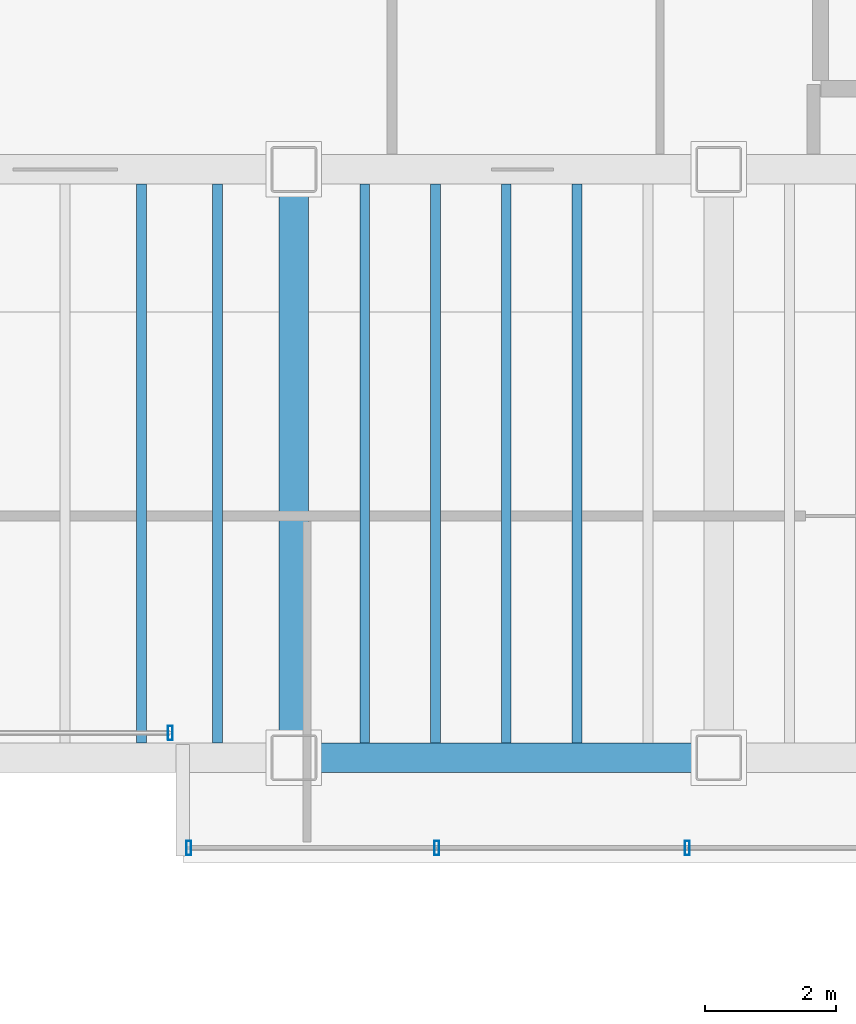
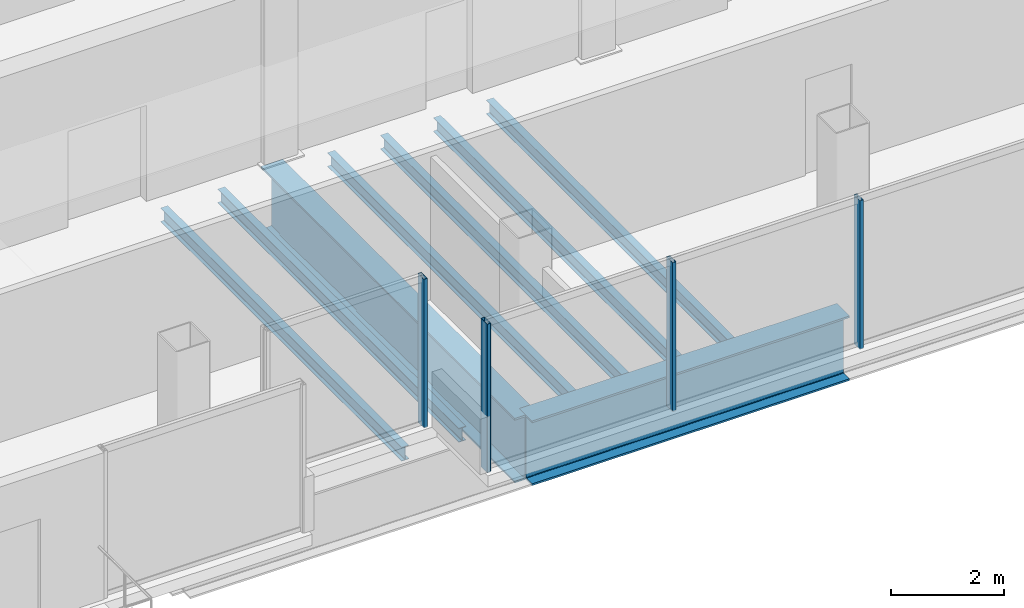
# One storey, part 6 of 17: 8 beams, 4 members, 2 elements without a shape of their own.
"""IFC4 building model written with IfcOpenShell, lengths in metres."""

from ifc_helpers import new_model, si_unit, direction, frame, origin, origin_2d, place, context, subcontext, project, spatial, hollow_rectangle, i_section, extrude, material, material_profile, profile_set, type_object, element, aggregate, save


model = new_model("IFC4")

# Units and contexts
model_context = context("Model", 3, precision=1e-05, world=origin(), true_north=direction((0.0, 1.0)))
body_context = subcontext(model_context, "Body", "Model", "MODEL_VIEW")
ifc_project = project(units=[si_unit("LENGTHUNIT", "METRE"), si_unit("AREAUNIT", "SQUARE_METRE"), si_unit("VOLUMEUNIT", "CUBIC_METRE"), si_unit("PLANEANGLEUNIT", "RADIAN"), si_unit("MASSUNIT", "GRAM", prefix="KILO")], contexts=[model_context])

# Site, building, storey
site_placement = place(None, origin())
site = spatial("IfcSite", under=ifc_project, at=site_placement, CompositionType="ELEMENT")
building_placement = place(site_placement, origin())
building = spatial("IfcBuilding", under=site, at=building_placement, Name="Noeulbin Bourse Tower", CompositionType="ELEMENT")
storey_placement = place(building_placement, frame((0.0, 0.0, 281.300048828125)))
storey = spatial("IfcBuildingStorey", under=building, at=storey_placement, Name="L70", CompositionType="ELEMENT", Elevation=281.300048828125)

# Beams
ifc_material_1 = material(Name="Steel S355", Category="steel")
ifc_material_profile_1 = material_profile(ifc_material_1, i_section(OverallWidth=0.14990234375, OverallDepth=0.300048828125, WebThickness=0.006591796875, FlangeThickness=0.009033203125, FilletRadius=0.012939453125, at=origin_2d()), Name="H-300x150x6.5x9", Category="LoadBearing")
ifc_profile_set_1 = profile_set([ifc_material_profile_1], Name="Steel S355")
beam_type_1 = type_object("IfcBeamType", Name="BM-JST-300", PredefinedType="JOIST", material=ifc_profile_set_1)
for number, where, z_axis, x_axis, name in (
    (1, (28.666748046875, 20.22509765625, -0.39013671875), (0.0, 1.0, 0.0), (-1.0, 0.0, 0.0), "Tower Composite Joist L70-07"),
    (2, (29.833251953125, 20.22509765625, -0.39013671875), (0.0, 1.0, 0.0), (-1.0, 0.0, 0.0), "Tower Composite Joist L70-09"),
    (3, (32.083251953125, 20.22509765625, -0.39013671875), (0.0, 1.0, 0.0), (-1.0, 0.0, 0.0), "Tower Composite Joist L70-11"),
    (4, (33.166748046875, 20.22509765625, -0.39013671875), (0.0, 1.0, 0.0), (-1.0, 0.0, 0.0), "Tower Composite Joist L70-13"),
    (5, (34.25, 20.22509765625, -0.39013671875), (0.0, 1.0, 0.0), (-1.0, 0.0, 0.0), "Tower Composite Joist L70-15"),
    (6, (35.333251953125, 20.22509765625, -0.39013671875), (0.0, 1.0, 0.0), (-1.0, 0.0, 0.0), "Tower Composite Joist L70-17"),
):
    element("IfcBeam", number, at=place(storey_placement, frame(where, z_axis=z_axis, x_axis=x_axis)), inside=storey, type_object=beam_type_1, Name=name, PredefinedType="JOIST", context=body_context, shape_type="SweptSolid", body=[
        extrude(i_section(OverallWidth=0.14990234375, OverallDepth=0.300048828125, WebThickness=0.006591796875, FlangeThickness=0.009033203125, FilletRadius=0.012939453125, at=origin_2d()), origin(), (0.0, 0.0, 1.0), 8.5498046875),
    ])
ifc_material_2 = material(Name="Steel S460", Category="steel")
ifc_material_profile_2 = material_profile(ifc_material_2, i_section(OverallWidth=0.449951171875, OverallDepth=1.39990234375, WebThickness=0.02392578125, FlangeThickness=0.0400390625, FilletRadius=0.02392578125, at=origin_2d()), Name="PG-1400x450x24x40", Category="LoadBearing")
ifc_profile_set_2 = profile_set([ifc_material_profile_2], Name="Steel S460")
beam_type_2 = type_object("IfcBeamType", Name="BM-TRF-1400", PredefinedType="USERDEFINED", material=ifc_profile_set_2)
beam_1_placement = place(storey_placement, frame((31.0, 20.0, -0.93994140625), z_axis=(1.0, 0.0, 0.0), x_axis=(0.0, 1.0, 0.0)))
element("IfcBeam", 7, at=beam_1_placement, inside=storey, type_object=beam_type_2, Name="Tower Primary Girder EW L70-1.2", ObjectType="GIRDER", PredefinedType="USERDEFINED", context=body_context, shape_type="SweptSolid", body=[
    extrude(i_section(OverallWidth=0.449951171875, OverallDepth=1.39990234375, WebThickness=0.02392578125, FlangeThickness=0.0400390625, FilletRadius=0.02392578125, at=origin_2d()), origin(), (0.0, 0.0, 1.0), 6.5),
])
beam_2_placement = place(storey_placement, frame((31.0, 20.0, -0.93994140625), z_axis=(0.0, 1.0, 0.0), x_axis=(-1.0, 0.0, 0.0)))
element("IfcBeam", 8, at=beam_2_placement, inside=storey, type_object=beam_type_2, Name="Tower Primary Girder NS L70-3.1", ObjectType="GIRDER", PredefinedType="USERDEFINED", context=body_context, shape_type="SweptSolid", body=[
    extrude(i_section(OverallWidth=0.449951171875, OverallDepth=1.39990234375, WebThickness=0.02392578125, FlangeThickness=0.0400390625, FilletRadius=0.02392578125, at=origin_2d()), origin(), (0.0, 0.0, 1.0), 9.0),
])

# Curtain wall, member
ifc_material_3 = material(Name="High-Selectivity Low-Iron Glazing", Category="glass")
curtain_wall_type = type_object("IfcCurtainWallType", Name="CW-SYS-4", PredefinedType="NOTDEFINED", material=ifc_material_3)
curtain_wall_1_placement = place(storey_placement, origin())
curtain_wall_1 = element("IfcCurtainWall", 9, at=curtain_wall_1_placement, inside=storey, type_object=curtain_wall_type, Name="Unitised Curtain Wall CW-L70-SREC", PredefinedType="NOTDEFINED")
ifc_material_4 = material(Name="Anodised Aluminium 6063-T6", Category="aluminium")
ifc_material_profile_3 = material_profile(ifc_material_4, hollow_rectangle(XDim=0.074951171875, YDim=0.219970703125, WallThickness=0.0048828125, InnerFilletRadius=0.00244140625, OuterFilletRadius=0.0048828125, at=origin_2d()), Name="ALU-MULL-75x220x5", Category="LoadBearing")
ifc_profile_set_3 = profile_set([ifc_material_profile_3], Name="Anodised Aluminium 6063-T6")
member_type = type_object("IfcMemberType", Name="CW-SYS-4-MUL", PredefinedType="MULLION", material=ifc_profile_set_3)
member_1_placement = place(storey_placement, frame((29.110107421875, 20.3798828125, -0.02001953125), z_axis=(0.0, 0.0, 1.0), x_axis=(1.0, 0.0, 0.0)))
member_1 = element("IfcMember", 10, at=member_1_placement, type_object=member_type, Name="Curtain Wall Mullion CW-L70-SREC-M01", PredefinedType="MULLION", context=body_context, shape_type="SweptSolid", body=[
    extrude(hollow_rectangle(XDim=0.074951171875, YDim=0.219970703125, WallThickness=0.0048828125, InnerFilletRadius=0.00244140625, OuterFilletRadius=0.0048828125, at=origin_2d()), origin(), (0.0, 0.0, 1.0), 3.219970703125),
])
aggregate(curtain_wall_1, [member_1])

# Curtain wall, members
curtain_wall_2_placement = place(storey_placement, origin())
curtain_wall_2 = element("IfcCurtainWall", 11, at=curtain_wall_2_placement, inside=storey, type_object=curtain_wall_type, Name="Unitised Curtain Wall CW-L70-S3", PredefinedType="NOTDEFINED")
member_2_placement = place(storey_placement, frame((29.389892578125, 18.6201171875, -0.02001953125), z_axis=(0.0, 0.0, 1.0), x_axis=(1.0, 0.0, 0.0)))
member_2 = element("IfcMember", 12, at=member_2_placement, type_object=member_type, Name="Curtain Wall Mullion CW-L70-S3-M00", PredefinedType="MULLION", context=body_context, shape_type="SweptSolid", body=[
    extrude(hollow_rectangle(XDim=0.074951171875, YDim=0.219970703125, WallThickness=0.0048828125, InnerFilletRadius=0.00244140625, OuterFilletRadius=0.0048828125, at=origin_2d()), origin(), (0.0, 0.0, 1.0), 3.219970703125),
])
member_3_placement = place(storey_placement, frame((33.18408203125, 18.6201171875, -0.02001953125), z_axis=(0.0, 0.0, 1.0), x_axis=(1.0, 0.0, 0.0)))
member_3 = element("IfcMember", 13, at=member_3_placement, type_object=member_type, Name="Curtain Wall Mullion CW-L70-S3-M01", PredefinedType="MULLION", context=body_context, shape_type="SweptSolid", body=[
    extrude(hollow_rectangle(XDim=0.074951171875, YDim=0.219970703125, WallThickness=0.0048828125, InnerFilletRadius=0.00244140625, OuterFilletRadius=0.0048828125, at=origin_2d()), origin(), (0.0, 0.0, 1.0), 3.219970703125),
])
member_4_placement = place(storey_placement, frame((37.01806640625, 18.6201171875, -0.02001953125), z_axis=(0.0, 0.0, 1.0), x_axis=(1.0, 0.0, 0.0)))
member_4 = element("IfcMember", 14, at=member_4_placement, type_object=member_type, Name="Curtain Wall Mullion CW-L70-S3-M02", PredefinedType="MULLION", context=body_context, shape_type="SweptSolid", body=[
    extrude(hollow_rectangle(XDim=0.074951171875, YDim=0.219970703125, WallThickness=0.0048828125, InnerFilletRadius=0.00244140625, OuterFilletRadius=0.0048828125, at=origin_2d()), origin(), (0.0, 0.0, 1.0), 3.219970703125),
])
aggregate(curtain_wall_2, [member_2, member_3, member_4])

save(model, "model.ifc")
